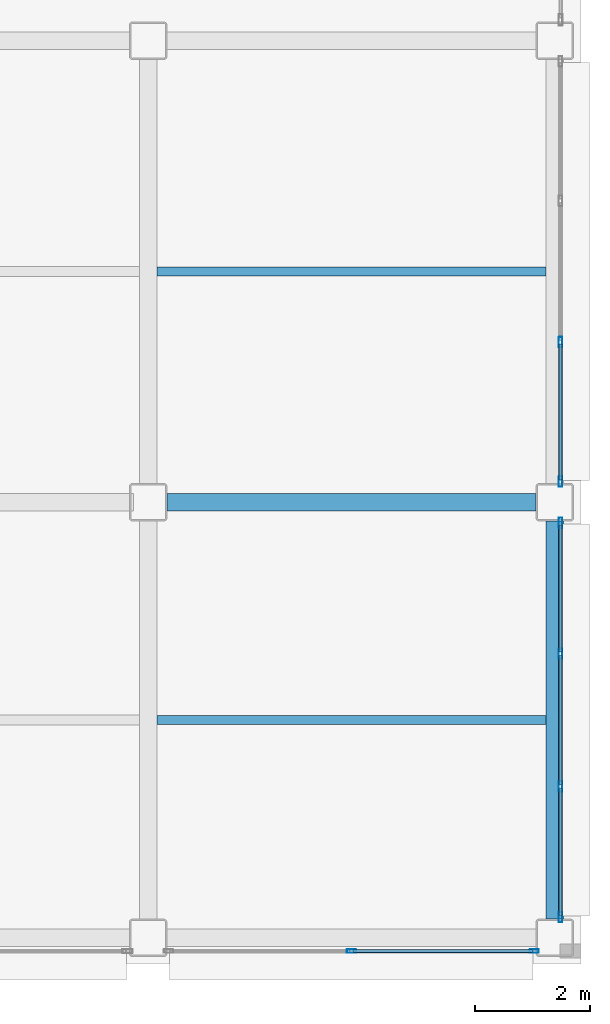
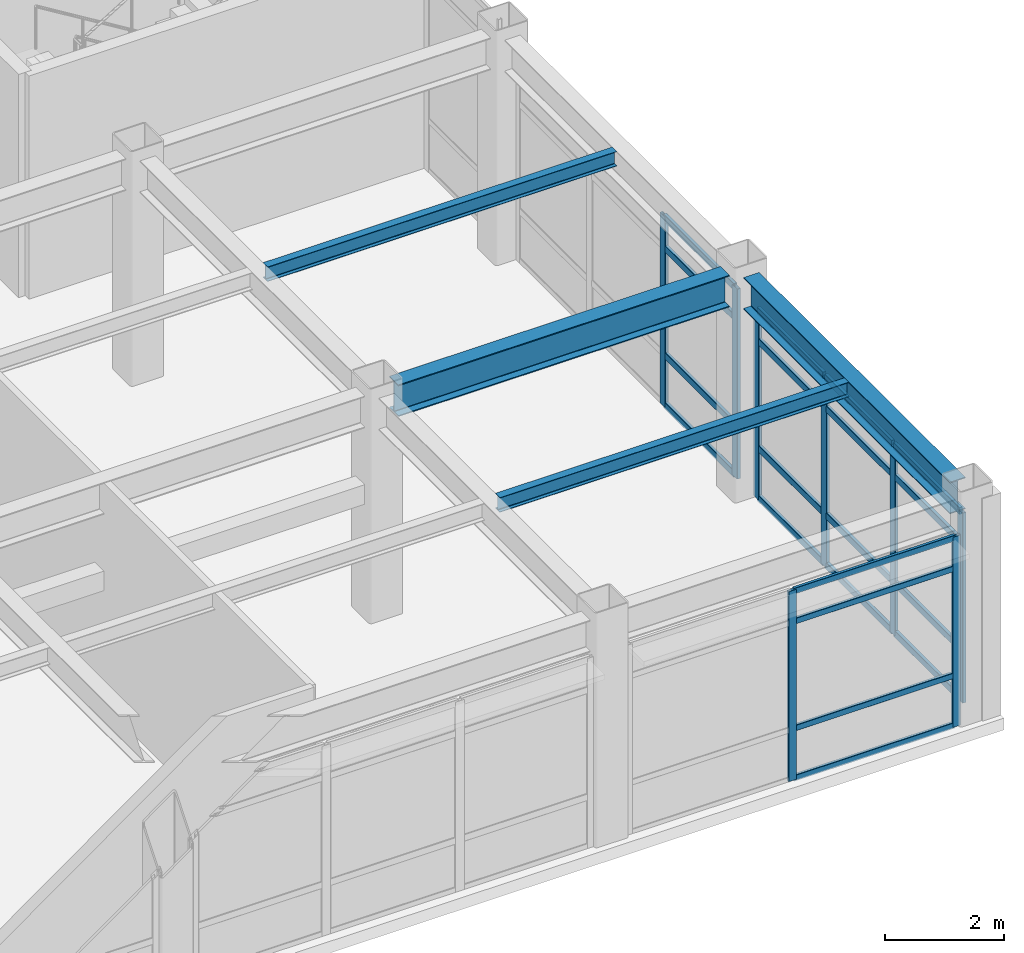
# One storey, part 53 of 93: 28 members, 4 beams, 3 elements without a shape of their own.
"""IFC4 building model written with IfcOpenShell, lengths in metres."""

from ifc_helpers import new_model, si_unit, direction, frame, origin, origin_2d, place, context, subcontext, project, spatial, hollow_rectangle, i_section, extrude, material, layer, layer_set, material_profile, profile_set, type_object, element, aggregate, save


model = new_model("IFC4")

# Units and contexts
model_context = context("Model", 3, precision=1e-05, world=origin(), true_north=direction((0.0, 1.0)))
body_context = subcontext(model_context, "Body", "Model", "MODEL_VIEW")
ifc_project = project(units=[si_unit("LENGTHUNIT", "METRE"), si_unit("AREAUNIT", "SQUARE_METRE"), si_unit("VOLUMEUNIT", "CUBIC_METRE"), si_unit("PLANEANGLEUNIT", "RADIAN"), si_unit("MASSUNIT", "GRAM", prefix="KILO")], contexts=[model_context])

# Site, building, storey
site_placement = place(None, origin())
site = spatial("IfcSite", under=ifc_project, at=site_placement, CompositionType="ELEMENT")
building_placement = place(site_placement, origin())
building = spatial("IfcBuilding", under=site, at=building_placement, Name="Kazehara Bluff Congress Hotel", CompositionType="ELEMENT")
storey_placement = place(building_placement, frame((0.0, 0.0, 15.0)))
storey = spatial("IfcBuildingStorey", under=building, at=storey_placement, Name="L03", CompositionType="ELEMENT", Elevation=15.0)

# Curtain wall, members
ifc_material_1 = material(Name="Anodised aluminium", Category="aluminium")
ifc_layer_1 = layer(ifc_material_1, 0.159912109375)
ifc_layer_set_1 = layer_set([ifc_layer_1], Name="Anodised aluminium")
curtain_wall_type_1 = type_object("IfcCurtainWallType", Name="TP-CW-145", PredefinedType="NOTDEFINED", material=ifc_layer_set_1)
curtain_wall_1_placement = place(storey_placement, origin())
curtain_wall_1 = element("IfcCurtainWall", 1, at=curtain_wall_1_placement, inside=storey, type_object=curtain_wall_type_1, Name="L03 curtain wall CW-145 CW-ENC-V5-L03-16402-22", PredefinedType="NOTDEFINED")
ifc_material_2 = material(Name="Anodised aluminium", Category="aluminium")
ifc_material_profile_1 = material_profile(ifc_material_2, hollow_rectangle(XDim=0.06005859375, YDim=0.159912109375, WallThickness=0.00390625, InnerFilletRadius=0.00390625, OuterFilletRadius=0.008056640625, at=origin_2d()))
ifc_profile_set_1 = profile_set([ifc_material_profile_1], Name="Anodised aluminium")
member_type_1 = type_object("IfcMemberType", Name="TP-CWM-01", PredefinedType="MULLION", material=ifc_profile_set_1)
member_1_placement = place(storey_placement, frame((167.195068359375, 0.219970703125, 0.0), z_axis=(0.0, 0.0, 1.0), x_axis=(0.0, -1.0, 0.0)))
member_1 = element("IfcMember", 2, at=member_1_placement, type_object=member_type_1, Name="CW-145 mullion 1", PredefinedType="MULLION", context=body_context, shape_type="SweptSolid", body=[
    extrude(hollow_rectangle(XDim=0.06005859375, YDim=0.159912109375, WallThickness=0.00390625, InnerFilletRadius=0.00390625, OuterFilletRadius=0.008056640625, at=origin_2d()), origin(), (0.0, 0.0, 1.0), 3.885009765625),
])
member_2_placement = place(storey_placement, frame((164.02490234375, 0.219970703125, 0.0), z_axis=(0.0, 0.0, 1.0), x_axis=(0.0, -1.0, 0.0)))
member_2 = element("IfcMember", 3, at=member_2_placement, type_object=member_type_1, Name="CW-145 mullion 2", PredefinedType="MULLION", context=body_context, shape_type="SweptSolid", body=[
    extrude(hollow_rectangle(XDim=0.06005859375, YDim=0.159912109375, WallThickness=0.00390625, InnerFilletRadius=0.00390625, OuterFilletRadius=0.008056640625, at=origin_2d()), origin(), (0.0, 0.0, 1.0), 3.885009765625),
])

ifc_material_3 = material(Name="Anodised aluminium", Category="aluminium")
ifc_layer_2 = layer(ifc_material_3, 0.159912109375)
ifc_layer_set_2 = layer_set([ifc_layer_2], Name="Anodised aluminium")
curtain_wall_type_2 = type_object("IfcCurtainWallType", Name="TP-CW-55", PredefinedType="NOTDEFINED", material=ifc_layer_set_2)
curtain_wall_2_placement = place(storey_placement, origin())
curtain_wall_2 = element("IfcCurtainWall", 4, at=curtain_wall_2_placement, inside=storey, type_object=curtain_wall_type_2, Name="L03 curtain wall CW-55 CW-ENC-V5-L03-16765-422", PredefinedType="NOTDEFINED")
ifc_material_4 = material(Name="Anodised aluminium", Category="aluminium")
ifc_material_profile_2 = material_profile(ifc_material_4, hollow_rectangle(XDim=0.06494140625, YDim=0.179931640625, WallThickness=0.00390625, InnerFilletRadius=0.00390625, OuterFilletRadius=0.008056640625, at=origin_2d()))
ifc_profile_set_2 = profile_set([ifc_material_profile_2], Name="Anodised aluminium")
member_type_2 = type_object("IfcMemberType", Name="TP-CWM-02", PredefinedType="MULLION", material=ifc_profile_set_2)
member_3_placement = place(storey_placement, frame((167.64990234375, 7.642578125, 0.0), z_axis=(0.0, 0.0, 1.0), x_axis=(1.0, 0.0, 0.0)))
member_3 = element("IfcMember", 5, at=member_3_placement, type_object=member_type_2, Name="CW-55 mullion 1", PredefinedType="MULLION", context=body_context, shape_type="SweptSolid", body=[
    extrude(hollow_rectangle(XDim=0.06494140625, YDim=0.179931640625, WallThickness=0.00390625, InnerFilletRadius=0.00390625, OuterFilletRadius=0.008056640625, at=origin_2d()), origin(), (0.0, 0.0, 1.0), 3.885009765625),
])
member_4_placement = place(storey_placement, frame((167.64990234375, 5.375, 0.0), z_axis=(0.0, 0.0, 1.0), x_axis=(1.0, 0.0, 0.0)))
member_4 = element("IfcMember", 6, at=member_4_placement, type_object=member_type_2, Name="CW-55 mullion 2", PredefinedType="MULLION", context=body_context, shape_type="SweptSolid", body=[
    extrude(hollow_rectangle(XDim=0.06494140625, YDim=0.179931640625, WallThickness=0.00390625, InnerFilletRadius=0.00390625, OuterFilletRadius=0.008056640625, at=origin_2d()), origin(), (0.0, 0.0, 1.0), 3.885009765625),
])
member_5_placement = place(storey_placement, frame((167.64990234375, 3.074951171875, 0.0), z_axis=(0.0, 0.0, 1.0), x_axis=(1.0, 0.0, 0.0)))
member_5 = element("IfcMember", 7, at=member_5_placement, type_object=member_type_2, Name="CW-55 mullion 3", PredefinedType="MULLION", context=body_context, shape_type="SweptSolid", body=[
    extrude(hollow_rectangle(XDim=0.06494140625, YDim=0.179931640625, WallThickness=0.00390625, InnerFilletRadius=0.00390625, OuterFilletRadius=0.008056640625, at=origin_2d()), origin(), (0.0, 0.0, 1.0), 3.885009765625),
])
member_6_placement = place(storey_placement, frame((167.64990234375, 0.8076171875, 0.0), z_axis=(0.0, 0.0, 1.0), x_axis=(1.0, 0.0, 0.0)))
member_6 = element("IfcMember", 8, at=member_6_placement, type_object=member_type_2, Name="CW-55 mullion 4", PredefinedType="MULLION", context=body_context, shape_type="SweptSolid", body=[
    extrude(hollow_rectangle(XDim=0.06494140625, YDim=0.179931640625, WallThickness=0.00390625, InnerFilletRadius=0.00390625, OuterFilletRadius=0.008056640625, at=origin_2d()), origin(), (0.0, 0.0, 1.0), 3.885009765625),
])

ifc_material_5 = material(Name="Anodised aluminium", Category="aluminium")
ifc_layer_3 = layer(ifc_material_5, 0.159912109375)
ifc_layer_set_3 = layer_set([ifc_layer_3], Name="Anodised aluminium")
curtain_wall_type_3 = type_object("IfcCurtainWallType", Name="TP-CW-56", PredefinedType="NOTDEFINED", material=ifc_layer_set_3)
curtain_wall_3_placement = place(storey_placement, origin())
curtain_wall_3 = element("IfcCurtainWall", 9, at=curtain_wall_3_placement, inside=storey, type_object=curtain_wall_type_3, Name="L03 curtain wall CW-56 CW-ENC-V5-L03-16765-1200", PredefinedType="NOTDEFINED")
member_7_placement = place(storey_placement, frame((167.64990234375, 10.77490234375, 0.0), z_axis=(0.0, 0.0, 1.0), x_axis=(1.0, 0.0, 0.0)))
member_7 = element("IfcMember", 10, at=member_7_placement, type_object=member_type_2, Name="CW-56 mullion 3", PredefinedType="MULLION", context=body_context, shape_type="SweptSolid", body=[
    extrude(hollow_rectangle(XDim=0.06494140625, YDim=0.179931640625, WallThickness=0.00390625, InnerFilletRadius=0.00390625, OuterFilletRadius=0.008056640625, at=origin_2d()), origin(), (0.0, 0.0, 1.0), 3.885009765625),
])
member_8_placement = place(storey_placement, frame((167.64990234375, 8.357421875, 0.0), z_axis=(0.0, 0.0, 1.0), x_axis=(1.0, 0.0, 0.0)))
member_8 = element("IfcMember", 11, at=member_8_placement, type_object=member_type_2, Name="CW-56 mullion 4", PredefinedType="MULLION", context=body_context, shape_type="SweptSolid", body=[
    extrude(hollow_rectangle(XDim=0.06494140625, YDim=0.179931640625, WallThickness=0.00390625, InnerFilletRadius=0.00390625, OuterFilletRadius=0.008056640625, at=origin_2d()), origin(), (0.0, 0.0, 1.0), 3.885009765625),
])

# Member
ifc_material_6 = material(Name="Anodised aluminium", Category="aluminium")
ifc_material_profile_3 = material_profile(ifc_material_6, hollow_rectangle(XDim=0.06005859375, YDim=0.1201171875, WallThickness=0.00390625, InnerFilletRadius=0.00390625, OuterFilletRadius=0.008056640625, at=origin_2d()))
ifc_profile_set_3 = profile_set([ifc_material_profile_3], Name="Anodised aluminium")
member_type_3 = type_object("IfcMemberType", Name="TP-CWT-01", PredefinedType="USERDEFINED", material=ifc_profile_set_3)
member_9_placement = place(storey_placement, frame((167.1650390625, 0.219970703125, 0.030029296875), z_axis=(-1.0, 0.0, 0.0), x_axis=(0.0, -1.0, 0.0)))
member_9 = element("IfcMember", 12, at=member_9_placement, type_object=member_type_3, Name="CW-145 transom 1.1", ObjectType="TRANSOM", PredefinedType="USERDEFINED", context=body_context, shape_type="SweptSolid", body=[
    extrude(hollow_rectangle(XDim=0.06005859375, YDim=0.1201171875, WallThickness=0.00390625, InnerFilletRadius=0.00390625, OuterFilletRadius=0.008056640625, at=origin_2d()), origin(), (0.0, 0.0, 1.0), 3.110107421875),
])

member_10_placement = place(storey_placement, frame((167.1650390625, 0.219970703125, 1.050048828125), z_axis=(-1.0, 0.0, 0.0), x_axis=(0.0, -1.0, 0.0)))
member_10 = element("IfcMember", 13, at=member_10_placement, type_object=member_type_3, Name="CW-145 transom 1.2", ObjectType="TRANSOM", PredefinedType="USERDEFINED", context=body_context, shape_type="SweptSolid", body=[
    extrude(hollow_rectangle(XDim=0.06005859375, YDim=0.1201171875, WallThickness=0.00390625, InnerFilletRadius=0.00390625, OuterFilletRadius=0.008056640625, at=origin_2d()), origin(), (0.0, 0.0, 1.0), 3.110107421875),
])

member_11_placement = place(storey_placement, frame((167.1650390625, 0.219970703125, 3.235107421875), z_axis=(-1.0, 0.0, 0.0), x_axis=(0.0, -1.0, 0.0)))
member_11 = element("IfcMember", 14, at=member_11_placement, type_object=member_type_3, Name="CW-145 transom 1.3", ObjectType="TRANSOM", PredefinedType="USERDEFINED", context=body_context, shape_type="SweptSolid", body=[
    extrude(hollow_rectangle(XDim=0.06005859375, YDim=0.1201171875, WallThickness=0.00390625, InnerFilletRadius=0.00390625, OuterFilletRadius=0.008056640625, at=origin_2d()), origin(), (0.0, 0.0, 1.0), 3.110107421875),
])

member_12_placement = place(storey_placement, frame((167.1650390625, 0.219970703125, 3.85498046875), z_axis=(-1.0, 0.0, 0.0), x_axis=(0.0, -1.0, 0.0)))
member_12 = element("IfcMember", 15, at=member_12_placement, type_object=member_type_3, Name="CW-145 transom 1.4", ObjectType="TRANSOM", PredefinedType="USERDEFINED", context=body_context, shape_type="SweptSolid", body=[
    extrude(hollow_rectangle(XDim=0.06005859375, YDim=0.1201171875, WallThickness=0.00390625, InnerFilletRadius=0.00390625, OuterFilletRadius=0.008056640625, at=origin_2d()), origin(), (0.0, 0.0, 1.0), 3.110107421875),
])

aggregate(curtain_wall_1, [member_1, member_2, member_9, member_10, member_11, member_12])

ifc_material_7 = material(Name="Anodised aluminium", Category="aluminium")
ifc_material_profile_4 = material_profile(ifc_material_7, hollow_rectangle(XDim=0.06494140625, YDim=0.139892578125, WallThickness=0.00390625, InnerFilletRadius=0.00390625, OuterFilletRadius=0.008056640625, at=origin_2d()))
ifc_profile_set_4 = profile_set([ifc_material_profile_4], Name="Anodised aluminium")
member_type_4 = type_object("IfcMemberType", Name="TP-CWT-02", PredefinedType="USERDEFINED", material=ifc_profile_set_4)
member_13_placement = place(storey_placement, frame((167.64990234375, 7.610107421875, 0.032470703125), z_axis=(0.0, -1.0, 0.0), x_axis=(1.0, 0.0, 0.0)))
member_13 = element("IfcMember", 16, at=member_13_placement, type_object=member_type_4, Name="CW-55 transom 1.1", ObjectType="TRANSOM", PredefinedType="USERDEFINED", context=body_context, shape_type="SweptSolid", body=[
    extrude(hollow_rectangle(XDim=0.06494140625, YDim=0.139892578125, WallThickness=0.00390625, InnerFilletRadius=0.00390625, OuterFilletRadius=0.008056640625, at=origin_2d()), origin(), (0.0, 0.0, 1.0), 2.20263671875),
])

member_14_placement = place(storey_placement, frame((167.64990234375, 7.610107421875, 1.050048828125), z_axis=(0.0, -1.0, 0.0), x_axis=(1.0, 0.0, 0.0)))
member_14 = element("IfcMember", 17, at=member_14_placement, type_object=member_type_4, Name="CW-55 transom 1.2", ObjectType="TRANSOM", PredefinedType="USERDEFINED", context=body_context, shape_type="SweptSolid", body=[
    extrude(hollow_rectangle(XDim=0.06494140625, YDim=0.139892578125, WallThickness=0.00390625, InnerFilletRadius=0.00390625, OuterFilletRadius=0.008056640625, at=origin_2d()), origin(), (0.0, 0.0, 1.0), 2.20263671875),
])

member_15_placement = place(storey_placement, frame((167.64990234375, 7.610107421875, 3.235107421875), z_axis=(0.0, -1.0, 0.0), x_axis=(1.0, 0.0, 0.0)))
member_15 = element("IfcMember", 18, at=member_15_placement, type_object=member_type_4, Name="CW-55 transom 1.3", ObjectType="TRANSOM", PredefinedType="USERDEFINED", context=body_context, shape_type="SweptSolid", body=[
    extrude(hollow_rectangle(XDim=0.06494140625, YDim=0.139892578125, WallThickness=0.00390625, InnerFilletRadius=0.00390625, OuterFilletRadius=0.008056640625, at=origin_2d()), origin(), (0.0, 0.0, 1.0), 2.20263671875),
])

member_16_placement = place(storey_placement, frame((167.64990234375, 7.610107421875, 3.8525390625), z_axis=(0.0, -1.0, 0.0), x_axis=(1.0, 0.0, 0.0)))
member_16 = element("IfcMember", 19, at=member_16_placement, type_object=member_type_4, Name="CW-55 transom 1.4", ObjectType="TRANSOM", PredefinedType="USERDEFINED", context=body_context, shape_type="SweptSolid", body=[
    extrude(hollow_rectangle(XDim=0.06494140625, YDim=0.139892578125, WallThickness=0.00390625, InnerFilletRadius=0.00390625, OuterFilletRadius=0.008056640625, at=origin_2d()), origin(), (0.0, 0.0, 1.0), 2.20263671875),
])

member_17_placement = place(storey_placement, frame((167.64990234375, 5.342529296875, 0.032470703125), z_axis=(0.0, -1.0, 0.0), x_axis=(1.0, 0.0, 0.0)))
member_17 = element("IfcMember", 20, at=member_17_placement, type_object=member_type_4, Name="CW-55 transom 2.1", ObjectType="TRANSOM", PredefinedType="USERDEFINED", context=body_context, shape_type="SweptSolid", body=[
    extrude(hollow_rectangle(XDim=0.06494140625, YDim=0.139892578125, WallThickness=0.00390625, InnerFilletRadius=0.00390625, OuterFilletRadius=0.008056640625, at=origin_2d()), origin(), (0.0, 0.0, 1.0), 2.235107421875),
])

member_18_placement = place(storey_placement, frame((167.64990234375, 5.342529296875, 1.050048828125), z_axis=(0.0, -1.0, 0.0), x_axis=(1.0, 0.0, 0.0)))
member_18 = element("IfcMember", 21, at=member_18_placement, type_object=member_type_4, Name="CW-55 transom 2.2", ObjectType="TRANSOM", PredefinedType="USERDEFINED", context=body_context, shape_type="SweptSolid", body=[
    extrude(hollow_rectangle(XDim=0.06494140625, YDim=0.139892578125, WallThickness=0.00390625, InnerFilletRadius=0.00390625, OuterFilletRadius=0.008056640625, at=origin_2d()), origin(), (0.0, 0.0, 1.0), 2.235107421875),
])

member_19_placement = place(storey_placement, frame((167.64990234375, 5.342529296875, 3.235107421875), z_axis=(0.0, -1.0, 0.0), x_axis=(1.0, 0.0, 0.0)))
member_19 = element("IfcMember", 22, at=member_19_placement, type_object=member_type_4, Name="CW-55 transom 2.3", ObjectType="TRANSOM", PredefinedType="USERDEFINED", context=body_context, shape_type="SweptSolid", body=[
    extrude(hollow_rectangle(XDim=0.06494140625, YDim=0.139892578125, WallThickness=0.00390625, InnerFilletRadius=0.00390625, OuterFilletRadius=0.008056640625, at=origin_2d()), origin(), (0.0, 0.0, 1.0), 2.235107421875),
])

member_20_placement = place(storey_placement, frame((167.64990234375, 5.342529296875, 3.8525390625), z_axis=(0.0, -1.0, 0.0), x_axis=(1.0, 0.0, 0.0)))
member_20 = element("IfcMember", 23, at=member_20_placement, type_object=member_type_4, Name="CW-55 transom 2.4", ObjectType="TRANSOM", PredefinedType="USERDEFINED", context=body_context, shape_type="SweptSolid", body=[
    extrude(hollow_rectangle(XDim=0.06494140625, YDim=0.139892578125, WallThickness=0.00390625, InnerFilletRadius=0.00390625, OuterFilletRadius=0.008056640625, at=origin_2d()), origin(), (0.0, 0.0, 1.0), 2.235107421875),
])

member_21_placement = place(storey_placement, frame((167.64990234375, 3.04248046875, 0.032470703125), z_axis=(0.0, -1.0, 0.0), x_axis=(1.0, 0.0, 0.0)))
member_21 = element("IfcMember", 24, at=member_21_placement, type_object=member_type_4, Name="CW-55 transom 3.1", ObjectType="TRANSOM", PredefinedType="USERDEFINED", context=body_context, shape_type="SweptSolid", body=[
    extrude(hollow_rectangle(XDim=0.06494140625, YDim=0.139892578125, WallThickness=0.00390625, InnerFilletRadius=0.00390625, OuterFilletRadius=0.008056640625, at=origin_2d()), origin(), (0.0, 0.0, 1.0), 2.202392578125),
])

member_22_placement = place(storey_placement, frame((167.64990234375, 3.04248046875, 1.050048828125), z_axis=(0.0, -1.0, 0.0), x_axis=(1.0, 0.0, 0.0)))
member_22 = element("IfcMember", 25, at=member_22_placement, type_object=member_type_4, Name="CW-55 transom 3.2", ObjectType="TRANSOM", PredefinedType="USERDEFINED", context=body_context, shape_type="SweptSolid", body=[
    extrude(hollow_rectangle(XDim=0.06494140625, YDim=0.139892578125, WallThickness=0.00390625, InnerFilletRadius=0.00390625, OuterFilletRadius=0.008056640625, at=origin_2d()), origin(), (0.0, 0.0, 1.0), 2.202392578125),
])

member_23_placement = place(storey_placement, frame((167.64990234375, 3.04248046875, 3.235107421875), z_axis=(0.0, -1.0, 0.0), x_axis=(1.0, 0.0, 0.0)))
member_23 = element("IfcMember", 26, at=member_23_placement, type_object=member_type_4, Name="CW-55 transom 3.3", ObjectType="TRANSOM", PredefinedType="USERDEFINED", context=body_context, shape_type="SweptSolid", body=[
    extrude(hollow_rectangle(XDim=0.06494140625, YDim=0.139892578125, WallThickness=0.00390625, InnerFilletRadius=0.00390625, OuterFilletRadius=0.008056640625, at=origin_2d()), origin(), (0.0, 0.0, 1.0), 2.202392578125),
])

member_24_placement = place(storey_placement, frame((167.64990234375, 3.04248046875, 3.8525390625), z_axis=(0.0, -1.0, 0.0), x_axis=(1.0, 0.0, 0.0)))
member_24 = element("IfcMember", 27, at=member_24_placement, type_object=member_type_4, Name="CW-55 transom 3.4", ObjectType="TRANSOM", PredefinedType="USERDEFINED", context=body_context, shape_type="SweptSolid", body=[
    extrude(hollow_rectangle(XDim=0.06494140625, YDim=0.139892578125, WallThickness=0.00390625, InnerFilletRadius=0.00390625, OuterFilletRadius=0.008056640625, at=origin_2d()), origin(), (0.0, 0.0, 1.0), 2.202392578125),
])

aggregate(curtain_wall_2, [member_3, member_4, member_5, member_6, member_13, member_14, member_15, member_16, member_17, member_18, member_19, member_20, member_21, member_22, member_23, member_24])

member_25_placement = place(storey_placement, frame((167.64990234375, 10.742431640625, 0.032470703125), z_axis=(0.0, -1.0, 0.0), x_axis=(1.0, 0.0, 0.0)))
member_25 = element("IfcMember", 28, at=member_25_placement, type_object=member_type_4, Name="CW-56 transom 3.1", ObjectType="TRANSOM", PredefinedType="USERDEFINED", context=body_context, shape_type="SweptSolid", body=[
    extrude(hollow_rectangle(XDim=0.06494140625, YDim=0.139892578125, WallThickness=0.00390625, InnerFilletRadius=0.00390625, OuterFilletRadius=0.008056640625, at=origin_2d()), origin(), (0.0, 0.0, 1.0), 2.3525390625),
])

member_26_placement = place(storey_placement, frame((167.64990234375, 10.742431640625, 1.050048828125), z_axis=(0.0, -1.0, 0.0), x_axis=(1.0, 0.0, 0.0)))
member_26 = element("IfcMember", 29, at=member_26_placement, type_object=member_type_4, Name="CW-56 transom 3.2", ObjectType="TRANSOM", PredefinedType="USERDEFINED", context=body_context, shape_type="SweptSolid", body=[
    extrude(hollow_rectangle(XDim=0.06494140625, YDim=0.139892578125, WallThickness=0.00390625, InnerFilletRadius=0.00390625, OuterFilletRadius=0.008056640625, at=origin_2d()), origin(), (0.0, 0.0, 1.0), 2.3525390625),
])

member_27_placement = place(storey_placement, frame((167.64990234375, 10.742431640625, 3.235107421875), z_axis=(0.0, -1.0, 0.0), x_axis=(1.0, 0.0, 0.0)))
member_27 = element("IfcMember", 30, at=member_27_placement, type_object=member_type_4, Name="CW-56 transom 3.3", ObjectType="TRANSOM", PredefinedType="USERDEFINED", context=body_context, shape_type="SweptSolid", body=[
    extrude(hollow_rectangle(XDim=0.06494140625, YDim=0.139892578125, WallThickness=0.00390625, InnerFilletRadius=0.00390625, OuterFilletRadius=0.008056640625, at=origin_2d()), origin(), (0.0, 0.0, 1.0), 2.3525390625),
])

member_28_placement = place(storey_placement, frame((167.64990234375, 10.742431640625, 3.8525390625), z_axis=(0.0, -1.0, 0.0), x_axis=(1.0, 0.0, 0.0)))
member_28 = element("IfcMember", 31, at=member_28_placement, type_object=member_type_4, Name="CW-56 transom 3.4", ObjectType="TRANSOM", PredefinedType="USERDEFINED", context=body_context, shape_type="SweptSolid", body=[
    extrude(hollow_rectangle(XDim=0.06494140625, YDim=0.139892578125, WallThickness=0.00390625, InnerFilletRadius=0.00390625, OuterFilletRadius=0.008056640625, at=origin_2d()), origin(), (0.0, 0.0, 1.0), 2.3525390625),
])

aggregate(curtain_wall_3, [member_7, member_8, member_25, member_26, member_27, member_28])

# Beams
ifc_material_8 = material(Name="Steel SN490B", Category="steel")
ifc_material_profile_5 = material_profile(ifc_material_8, i_section(OverallWidth=0.300048828125, OverallDepth=0.64990234375, WebThickness=0.011962890625, FlangeThickness=0.02001953125, FilletRadius=0.012939453125, at=origin_2d()))
ifc_profile_set_5 = profile_set([ifc_material_profile_5], Name="Steel SN490B")
beam_type_1 = type_object("IfcBeamType", Name="TP-G-03", PredefinedType="BEAM", material=ifc_profile_set_5)
beam_1_placement = place(storey_placement, frame((167.550048828125, 0.77490234375, 4.235107421875), z_axis=(0.0, 1.0, 0.0), x_axis=(-1.0, 0.0, 0.0)))
element("IfcBeam", 32, at=beam_1_placement, inside=storey, type_object=beam_type_1, Name="L03 girder G-03 140", PredefinedType="BEAM", context=body_context, shape_type="SweptSolid", body=[
    extrude(i_section(OverallWidth=0.300048828125, OverallDepth=0.64990234375, WebThickness=0.011962890625, FlangeThickness=0.02001953125, FilletRadius=0.012939453125, at=origin_2d()), origin(), (0.0, 0.0, 1.0), 6.900146484375),
])
beam_2_placement = place(storey_placement, frame((160.824951171875, 8.0, 4.235107421875), z_axis=(1.0, 0.0, 0.0), x_axis=(0.0, 1.0, 0.0)))
element("IfcBeam", 33, at=beam_2_placement, inside=storey, type_object=beam_type_1, Name="L03 girder G-03 156", PredefinedType="BEAM", context=body_context, shape_type="SweptSolid", body=[
    extrude(i_section(OverallWidth=0.300048828125, OverallDepth=0.64990234375, WebThickness=0.011962890625, FlangeThickness=0.02001953125, FilletRadius=0.012939453125, at=origin_2d()), origin(), (0.0, 0.0, 1.0), 6.400146484375),
])
ifc_material_9 = material(Name="Steel SN400B", Category="steel")
ifc_material_profile_6 = material_profile(ifc_material_9, i_section(OverallWidth=0.14990234375, OverallDepth=0.300048828125, WebThickness=0.006591796875, FlangeThickness=0.009033203125, FilletRadius=0.012939453125, at=origin_2d()))
ifc_profile_set_6 = profile_set([ifc_material_profile_6], Name="Steel SN400B")
beam_type_2 = type_object("IfcBeamType", Name="TP-J-01", PredefinedType="JOIST", material=ifc_profile_set_6)
for number, where, z_axis, x_axis, name in (
    (34, (160.64990234375, 4.22509765625, 4.409912109375), (1.0, 0.0, 0.0), (0.0, 1.0, 0.0), "L03 secondary joist J-01 38"),
    (35, (160.64990234375, 12.0, 4.409912109375), (1.0, 0.0, 0.0), (0.0, 1.0, 0.0), "L03 secondary joist J-01 39"),
):
    element("IfcBeam", number, at=place(storey_placement, frame(where, z_axis=z_axis, x_axis=x_axis)), inside=storey, type_object=beam_type_2, Name=name, PredefinedType="JOIST", context=body_context, shape_type="SweptSolid", body=[
        extrude(i_section(OverallWidth=0.14990234375, OverallDepth=0.300048828125, WebThickness=0.006591796875, FlangeThickness=0.009033203125, FilletRadius=0.012939453125, at=origin_2d()), origin(), (0.0, 0.0, 1.0), 6.75),
    ])

save(model, "model.ifc")
